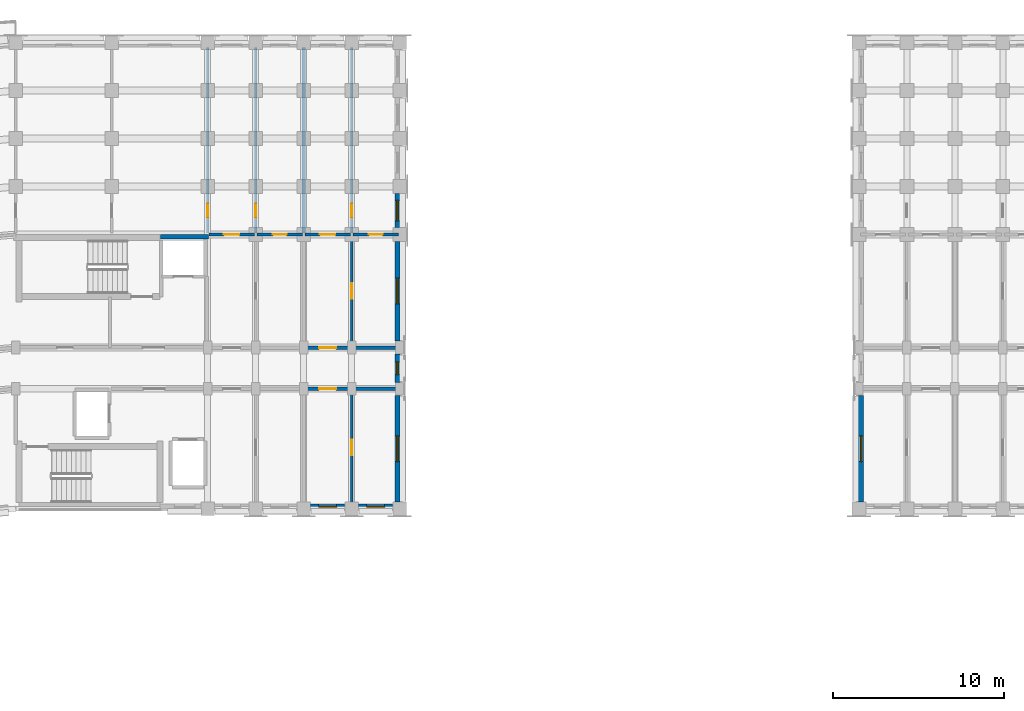
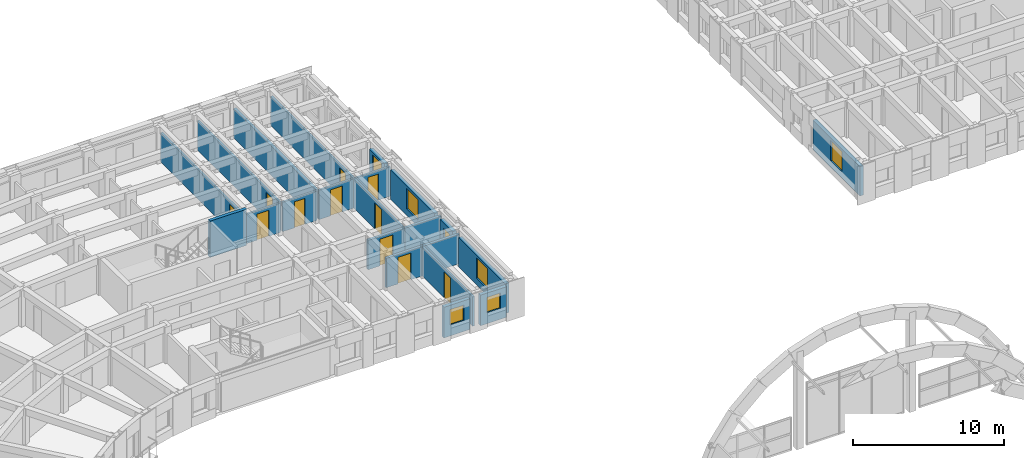
# One storey, part 47 of 76: 22 walls, 11 doors, 7 windows, 18 openings.
"""IFC4 building model written with IfcOpenShell, lengths in metres."""

from ifc_helpers import new_model, si_unit, direction, frame, frame_2d, origin, place, context, subcontext, project, spatial, rectangle, extrude, material, layer, layer_set, type_object, element, fill, save


model = new_model("IFC4")

# Units and contexts
model_context = context("Model", 3, precision=1e-05, world=origin(), true_north=direction((0.0, 1.0)))
body_context = subcontext(model_context, "Body", "Model", "MODEL_VIEW")
ifc_project = project(units=[si_unit("LENGTHUNIT", "METRE"), si_unit("AREAUNIT", "SQUARE_METRE"), si_unit("VOLUMEUNIT", "CUBIC_METRE"), si_unit("PLANEANGLEUNIT", "RADIAN"), si_unit("MASSUNIT", "GRAM", prefix="KILO")], contexts=[model_context])

# Site, building, storey
site_placement = place(None, origin())
site = spatial("IfcSite", under=ifc_project, at=site_placement, CompositionType="ELEMENT")
building_placement = place(site_placement, origin())
building = spatial("IfcBuilding", under=site, at=building_placement, Name="Kiranvali Square Residences", CompositionType="ELEMENT")
storey_placement = place(building_placement, frame((0.0, 0.0, 8.699951171875)))
storey = spatial("IfcBuildingStorey", under=building, at=storey_placement, Name="L02", CompositionType="ELEMENT", Elevation=8.699951171875)

# Wall, opening, door
ifc_material_1 = material(Name="Autoclaved aerated concrete blockwork masonry", Category="masonry")
ifc_layer_1 = layer(ifc_material_1, 0.199951171875)
ifc_layer_set_1 = layer_set([ifc_layer_1], Name="Autoclaved aerated concrete blockwork masonry")
wall_type_1 = type_object("IfcWallType", Name="WL-COR-200", PredefinedType="STANDARD", material=ifc_layer_set_1)
wall_1_placement = place(storey_placement, frame((65.0, 113.60009765625, 0.0), z_axis=(0.0, 0.0, 1.0), x_axis=(1.0, 0.0, 0.0)))
wall_1 = element("IfcWall", 1, at=wall_1_placement, inside=storey, type_object=wall_type_1, Name="L02 architectural wall WL-L02-A-A1CI-2", PredefinedType="STANDARD", context=body_context, shape_type="SweptSolid", body=[
    extrude(rectangle(XDim=2.800048828125, YDim=0.199951171875, at=frame_2d((1.39990234375, 0.0))), origin(), (0.0, 0.0, 1.0), 2.3720703125),
])
opening_1_placement = place(wall_1_placement, frame((0.89990234375, 0.0, 0.0)))
opening_1 = element("IfcOpeningElement", 2, at=opening_1_placement, cuts=wall_1, Name="Opening FD-APT-60", PredefinedType="OPENING", context=body_context, shape_type="SweptSolid", body=[
    extrude(rectangle(XDim=1.0, YDim=2.14990234375, at=frame_2d((0.5, 1.074951171875))), frame((0.0, 0.10986328125, 0.0), z_axis=(0.0, -1.0, 0.0), x_axis=(1.0, 0.0, 0.0)), (0.0, 0.0, 1.0), 0.219970703125),
])
ifc_material_2 = material(Name="Fire-rated acoustic hardwood and mineral-core door assembly", Category="wood")
door_type_1 = type_object("IfcDoorType", Name="DR-APT-1000", OperationType="NOTDEFINED", PredefinedType="DOOR", material=ifc_material_2)
door_1_placement = place(opening_1_placement, frame((1.0, 0.0, 0.0), z_axis=(0.0, 0.0, 1.0), x_axis=(-1.0, 0.0, 0.0)))
door_1 = element("IfcDoor", 3, at=door_1_placement, inside=storey, type_object=door_type_1, Name="L02 door DR-L02-0170 (DR-APT-1000)", OperationType="SINGLE_SWING_RIGHT", OverallHeight=2.14990234375, OverallWidth=1.0, PredefinedType="DOOR", context=body_context, shape_type="SweptSolid", body=[
    extrude(rectangle(XDim=1.0, YDim=2.14990234375, at=frame_2d((0.5, 1.074951171875))), frame((0.0, 0.02490234375, 0.0), z_axis=(0.0, -1.0, 0.0), x_axis=(1.0, 0.0, 0.0)), (0.0, 0.0, 1.0), 0.050048828125),
])
fill(opening_1, door_1)

wall_2_placement = place(storey_placement, frame((65.0, 116.0, 0.0), z_axis=(0.0, 0.0, 1.0), x_axis=(1.0, 0.0, 0.0)))
wall_2 = element("IfcWall", 4, at=wall_2_placement, inside=storey, type_object=wall_type_1, Name="L02 architectural wall WL-L02-A-A1CO-2", PredefinedType="STANDARD", context=body_context, shape_type="SweptSolid", body=[
    extrude(rectangle(XDim=2.800048828125, YDim=0.199951171875, at=frame_2d((1.39990234375, 0.0))), origin(), (0.0, 0.0, 1.0), 2.3720703125),
])
opening_2_placement = place(wall_2_placement, frame((0.89990234375, 0.0, 0.0)))
opening_2 = element("IfcOpeningElement", 5, at=opening_2_placement, cuts=wall_2, Name="Opening FD-APT-60", PredefinedType="OPENING", context=body_context, shape_type="SweptSolid", body=[
    extrude(rectangle(XDim=1.0, YDim=2.14990234375, at=frame_2d((0.5, 1.074951171875))), frame((0.0, 0.10986328125, 0.0), z_axis=(0.0, -1.0, 0.0), x_axis=(1.0, 0.0, 0.0)), (0.0, 0.0, 1.0), 0.219970703125),
])
door_2_placement = place(opening_2_placement, frame((1.0, 0.0, 0.0), z_axis=(0.0, 0.0, 1.0), x_axis=(-1.0, 0.0, 0.0)))
door_2 = element("IfcDoor", 6, at=door_2_placement, inside=storey, type_object=door_type_1, Name="L02 door DR-L02-0172 (DR-APT-1000)", OperationType="SINGLE_SWING_RIGHT", OverallHeight=2.14990234375, OverallWidth=1.0, PredefinedType="DOOR", context=body_context, shape_type="SweptSolid", body=[
    extrude(rectangle(XDim=1.0, YDim=2.14990234375, at=frame_2d((0.5, 1.074951171875))), frame((0.0, 0.02490234375, 0.0), z_axis=(0.0, -1.0, 0.0), x_axis=(1.0, 0.0, 0.0)), (0.0, 0.0, 1.0), 0.050048828125),
])
fill(opening_2, door_2)

# Walls
for number, where, z_axis, x_axis, name in (
    (7, (67.800048828125, 113.60009765625, 0.0), (0.0, 0.0, 1.0), (1.0, 0.0, 0.0), "L02 architectural wall WL-L02-A-A1CI-3"),
    (8, (67.800048828125, 116.0, 0.0), (0.0, 0.0, 1.0), (1.0, 0.0, 0.0), "L02 architectural wall WL-L02-A-A1CO-3"),
):
    element("IfcWall", number, at=place(storey_placement, frame(where, z_axis=z_axis, x_axis=x_axis)), inside=storey, type_object=wall_type_1, Name=name, PredefinedType="STANDARD", context=body_context, shape_type="SweptSolid", body=[
        extrude(rectangle(XDim=2.800048828125, YDim=0.199951171875, at=frame_2d((1.39990234375, 0.0))), origin(), (0.0, 0.0, 1.0), 2.3720703125),
    ])
ifc_layer_2 = layer(ifc_material_1, 0.219970703125)
ifc_layer_set_2 = layer_set([ifc_layer_2], Name="Autoclaved aerated concrete blockwork masonry")
wall_type_2 = type_object("IfcWallType", Name="WL-DEM-220", PredefinedType="STANDARD", material=ifc_layer_set_2)
wall_3_placement = place(storey_placement, frame((65.0, 122.699951171875, 0.0), z_axis=(0.0, 0.0, 1.0), x_axis=(0.0, 1.0, 0.0)))
element("IfcWall", 9, at=wall_3_placement, inside=storey, type_object=wall_type_2, Name="L02 architectural wall WL-L02-A-A1TO2-2", PredefinedType="STANDARD", context=body_context, shape_type="SweptSolid", body=[
    extrude(rectangle(XDim=10.820068359375, YDim=0.219970703125, at=frame_2d((5.41015625, 0.0))), origin(), (0.0, 0.0, 1.0), 2.3720703125),
])

# Wall, opening, window
ifc_material_3 = material(Name="Breathable lime-rendered clay brick masonry", Category="masonry")
ifc_layer_3 = layer(ifc_material_3, 0.27490234375)
ifc_layer_set_3 = layer_set([ifc_layer_3], Name="Breathable lime-rendered clay brick masonry")
wall_type_3 = type_object("IfcWallType", Name="WL-EXT-275", PredefinedType="STANDARD", material=ifc_layer_set_3)
wall_4_placement = place(storey_placement, frame((65.403564453125, 106.72509765625, 0.0), z_axis=(0.0, 0.0, 1.0), x_axis=(1.0, 0.0, 0.0)))
wall_4 = element("IfcWall", 10, at=wall_4_placement, inside=storey, type_object=wall_type_3, Name="L02 exterior wall A-L02-A1I-2", PredefinedType="STANDARD", context=body_context, shape_type="SweptSolid", body=[
    extrude(rectangle(XDim=1.992919921875, YDim=0.27490234375, at=frame_2d((0.99658203125, 0.0))), origin(), (0.0, 0.0, 1.0), 2.47216796875),
])
opening_3_placement = place(wall_4_placement, frame((0.471435546875, 0.0, 0.8798828125)))
opening_3 = element("IfcOpeningElement", 11, at=opening_3_placement, cuts=wall_4, Name="Opening W-24", PredefinedType="OPENING", context=body_context, shape_type="SweptSolid", body=[
    extrude(rectangle(XDim=1.050048828125, YDim=1.25, at=frame_2d((0.52490234375, 0.625))), frame((0.0, 0.1474609375, 0.0), z_axis=(0.0, -1.0, 0.0), x_axis=(1.0, 0.0, 0.0)), (0.0, 0.0, 1.0), 0.294921875),
])
ifc_material_4 = material(Name="Solar-control low-e double glazing", Category="glass")
window_type_1 = type_object("IfcWindowType", Name="WIN-COR-1050x1250", PartitioningType="SINGLE_PANEL", PredefinedType="WINDOW", material=ifc_material_4)
window_1_placement = place(opening_3_placement, origin())
window_1 = element("IfcWindow", 12, at=window_1_placement, inside=storey, type_object=window_type_1, Name="L02 recessed window A-L02-A1I-2", OverallHeight=1.25, OverallWidth=1.050048828125, PartitioningType="SINGLE_PANEL", PredefinedType="WINDOW", context=body_context, shape_type="SweptSolid", body=[
    extrude(rectangle(XDim=1.050048828125, YDim=1.25, at=frame_2d((0.52490234375, 0.625))), frame((0.0, 0.030029296875, 0.0), z_axis=(0.0, -1.0, 0.0), x_axis=(1.0, 0.0, 0.0)), (0.0, 0.0, 1.0), 0.06005859375),
])
fill(opening_3, window_1)

wall_5_placement = place(storey_placement, frame((68.20361328125, 106.72509765625, 0.0), z_axis=(0.0, 0.0, 1.0), x_axis=(1.0, 0.0, 0.0)))
wall_5 = element("IfcWall", 13, at=wall_5_placement, inside=storey, type_object=wall_type_3, Name="L02 exterior wall A-L02-A1I-3", PredefinedType="STANDARD", context=body_context, shape_type="SweptSolid", body=[
    extrude(rectangle(XDim=1.992919921875, YDim=0.27490234375, at=frame_2d((0.99658203125, 0.0))), origin(), (0.0, 0.0, 1.0), 2.47216796875),
])
opening_4_placement = place(wall_5_placement, frame((0.471435546875, 0.0, 0.8798828125)))
opening_4 = element("IfcOpeningElement", 14, at=opening_4_placement, cuts=wall_5, Name="Opening W-24", PredefinedType="OPENING", context=body_context, shape_type="SweptSolid", body=[
    extrude(rectangle(XDim=1.050048828125, YDim=1.25, at=frame_2d((0.52490234375, 0.625))), frame((0.0, 0.1474609375, 0.0), z_axis=(0.0, -1.0, 0.0), x_axis=(1.0, 0.0, 0.0)), (0.0, 0.0, 1.0), 0.294921875),
])
window_2_placement = place(opening_4_placement, origin())
window_2 = element("IfcWindow", 15, at=window_2_placement, inside=storey, type_object=window_type_1, Name="L02 recessed window A-L02-A1I-3", OverallHeight=1.25, OverallWidth=1.050048828125, PartitioningType="SINGLE_PANEL", PredefinedType="WINDOW", context=body_context, shape_type="SweptSolid", body=[
    extrude(rectangle(XDim=1.050048828125, YDim=1.25, at=frame_2d((0.52490234375, 0.625))), frame((0.0, 0.030029296875, 0.0), z_axis=(0.0, -1.0, 0.0), x_axis=(1.0, 0.0, 0.0)), (0.0, 0.0, 1.0), 0.06005859375),
])
fill(opening_4, window_2)

wall_6_placement = place(storey_placement, frame((70.47509765625, 107.00341796875, 0.0), z_axis=(0.0, 0.0, 1.0), x_axis=(0.0, 1.0, 0.0)))
wall_6 = element("IfcWall", 16, at=wall_6_placement, inside=storey, type_object=wall_type_3, Name="L02 exterior wall A-L02-A1END-0", PredefinedType="STANDARD", context=body_context, shape_type="SweptSolid", body=[
    extrude(rectangle(XDim=6.218017578125, YDim=0.27490234375, at=frame_2d((3.10888671875, 0.0))), origin(), (0.0, 0.0, 1.0), 2.3720703125),
])
opening_5_placement = place(wall_6_placement, frame((2.346435546875, 0.0, 0.52197265625)))
opening_5 = element("IfcOpeningElement", 17, at=opening_5_placement, cuts=wall_6, Name="Opening W-05", PredefinedType="OPENING", context=body_context, shape_type="SweptSolid", body=[
    extrude(rectangle(XDim=1.5, YDim=1.64990234375, at=frame_2d((0.75, 0.824951171875))), frame((0.0, 0.1474609375, 0.0), z_axis=(0.0, -1.0, 0.0), x_axis=(1.0, 0.0, 0.0)), (0.0, 0.0, 1.0), 0.294921875),
])
window_type_2 = type_object("IfcWindowType", Name="WIN-RES-1500x1650", PartitioningType="DOUBLE_PANEL_VERTICAL", PredefinedType="WINDOW", material=ifc_material_4)
window_3_placement = place(opening_5_placement, origin())
window_3 = element("IfcWindow", 18, at=window_3_placement, inside=storey, type_object=window_type_2, Name="L02 recessed window A-L02-A1END-0", OverallHeight=1.64990234375, OverallWidth=1.5, PartitioningType="DOUBLE_PANEL_VERTICAL", PredefinedType="WINDOW", context=body_context, shape_type="SweptSolid", body=[
    extrude(rectangle(XDim=1.5, YDim=1.64990234375, at=frame_2d((0.75, 0.824951171875))), frame((0.0, 0.030029296875, 0.0), z_axis=(0.0, -1.0, 0.0), x_axis=(1.0, 0.0, 0.0)), (0.0, 0.0, 1.0), 0.06005859375),
])
fill(opening_5, window_3)

wall_7_placement = place(storey_placement, frame((70.47509765625, 113.978515625, 0.0), z_axis=(0.0, 0.0, 1.0), x_axis=(0.0, 1.0, 0.0)))
wall_7 = element("IfcWall", 19, at=wall_7_placement, inside=storey, type_object=wall_type_3, Name="L02 exterior wall A-L02-A1END-1", PredefinedType="STANDARD", context=body_context, shape_type="SweptSolid", body=[
    extrude(rectangle(XDim=1.64306640625, YDim=0.27490234375, at=frame_2d((0.821533203125, 0.0))), origin(), (0.0, 0.0, 1.0), 2.3720703125),
])
opening_6_placement = place(wall_7_placement, frame((0.446533203125, 0.0, 0.8798828125)))
opening_6 = element("IfcOpeningElement", 20, at=opening_6_placement, cuts=wall_7, Name="Opening W-07", PredefinedType="OPENING", context=body_context, shape_type="SweptSolid", body=[
    extrude(rectangle(XDim=0.75, YDim=1.050048828125, at=frame_2d((0.375, 0.52490234375))), frame((0.0, 0.1474609375, 0.0), z_axis=(0.0, -1.0, 0.0), x_axis=(1.0, 0.0, 0.0)), (0.0, 0.0, 1.0), 0.294921875),
])
window_type_3 = type_object("IfcWindowType", Name="WIN-WET-750x1050", PartitioningType="SINGLE_PANEL", PredefinedType="WINDOW", material=ifc_material_4)
window_4_placement = place(opening_6_placement, origin())
window_4 = element("IfcWindow", 21, at=window_4_placement, inside=storey, type_object=window_type_3, Name="L02 recessed window A-L02-A1END-1", OverallHeight=1.050048828125, OverallWidth=0.75, PartitioningType="SINGLE_PANEL", PredefinedType="WINDOW", context=body_context, shape_type="SweptSolid", body=[
    extrude(rectangle(XDim=0.75, YDim=1.050048828125, at=frame_2d((0.375, 0.52490234375))), frame((0.0, 0.030029296875, 0.0), z_axis=(0.0, -1.0, 0.0), x_axis=(1.0, 0.0, 0.0)), (0.0, 0.0, 1.0), 0.06005859375),
])
fill(opening_6, window_4)

wall_8_placement = place(storey_placement, frame((70.47509765625, 116.37841796875, 0.0), z_axis=(0.0, 0.0, 1.0), x_axis=(0.0, 1.0, 0.0)))
wall_8 = element("IfcWall", 22, at=wall_8_placement, inside=storey, type_object=wall_type_3, Name="L02 exterior wall A-L02-A1END-2", PredefinedType="STANDARD", context=body_context, shape_type="SweptSolid", body=[
    extrude(rectangle(XDim=5.818115234375, YDim=0.27490234375, at=frame_2d((2.9091796875, 0.0))), origin(), (0.0, 0.0, 1.0), 2.3720703125),
])
opening_7_placement = place(wall_8_placement, frame((2.17138671875, 0.0, 0.52197265625)))
opening_7 = element("IfcOpeningElement", 23, at=opening_7_placement, cuts=wall_8, Name="Opening W-05", PredefinedType="OPENING", context=body_context, shape_type="SweptSolid", body=[
    extrude(rectangle(XDim=1.5, YDim=1.64990234375, at=frame_2d((0.75, 0.824951171875))), frame((0.0, 0.1474609375, 0.0), z_axis=(0.0, -1.0, 0.0), x_axis=(1.0, 0.0, 0.0)), (0.0, 0.0, 1.0), 0.294921875),
])
window_5_placement = place(opening_7_placement, origin())
window_5 = element("IfcWindow", 24, at=window_5_placement, inside=storey, type_object=window_type_2, Name="L02 recessed window A-L02-A1END-2", OverallHeight=1.64990234375, OverallWidth=1.5, PartitioningType="DOUBLE_PANEL_VERTICAL", PredefinedType="WINDOW", context=body_context, shape_type="SweptSolid", body=[
    extrude(rectangle(XDim=1.5, YDim=1.64990234375, at=frame_2d((0.75, 0.824951171875))), frame((0.0, 0.030029296875, 0.0), z_axis=(0.0, -1.0, 0.0), x_axis=(1.0, 0.0, 0.0)), (0.0, 0.0, 1.0), 0.06005859375),
])
fill(opening_7, window_5)

wall_9_placement = place(storey_placement, frame((70.47509765625, 123.00341796875, 0.0), z_axis=(0.0, 0.0, 1.0), x_axis=(0.0, 1.0, 0.0)))
wall_9 = element("IfcWall", 25, at=wall_9_placement, inside=storey, type_object=wall_type_3, Name="L02 exterior wall A-L02-A1END-3", PredefinedType="STANDARD", context=body_context, shape_type="SweptSolid", body=[
    extrude(rectangle(XDim=1.9931640625, YDim=0.27490234375, at=frame_2d((0.99658203125, 0.0))), origin(), (0.0, 0.0, 1.0), 2.3720703125),
])
opening_8_placement = place(wall_9_placement, frame((0.396484375, 0.0, 0.672119140625)))
opening_8 = element("IfcOpeningElement", 26, at=opening_8_placement, cuts=wall_9, Name="Opening W-06", PredefinedType="OPENING", context=body_context, shape_type="SweptSolid", body=[
    extrude(rectangle(XDim=1.199951171875, YDim=1.5, at=frame_2d((0.60009765625, 0.75))), frame((0.0, 0.1474609375, 0.0), z_axis=(0.0, -1.0, 0.0), x_axis=(1.0, 0.0, 0.0)), (0.0, 0.0, 1.0), 0.294921875),
])
window_type_4 = type_object("IfcWindowType", Name="WIN-RES-1200x1500", PartitioningType="SINGLE_PANEL", PredefinedType="WINDOW", material=ifc_material_4)
window_6_placement = place(opening_8_placement, origin())
window_6 = element("IfcWindow", 27, at=window_6_placement, inside=storey, type_object=window_type_4, Name="L02 recessed window A-L02-A1END-3", OverallHeight=1.5, OverallWidth=1.199951171875, PartitioningType="SINGLE_PANEL", PredefinedType="WINDOW", context=body_context, shape_type="SweptSolid", body=[
    extrude(rectangle(XDim=1.199951171875, YDim=1.5, at=frame_2d((0.60009765625, 0.75))), frame((0.0, 0.030029296875, 0.0), z_axis=(0.0, -1.0, 0.0), x_axis=(1.0, 0.0, 0.0)), (0.0, 0.0, 1.0), 0.06005859375),
])
fill(opening_8, window_6)

wall_10_placement = place(storey_placement, frame((97.52490234375, 107.00341796875, 0.0), z_axis=(0.0, 0.0, 1.0), x_axis=(0.0, 1.0, 0.0)))
wall_10 = element("IfcWall", 28, at=wall_10_placement, inside=storey, type_object=wall_type_3, Name="L02 exterior wall B-L02-A1END-0", PredefinedType="STANDARD", context=body_context, shape_type="SweptSolid", body=[
    extrude(rectangle(XDim=6.218017578125, YDim=0.27490234375, at=frame_2d((3.10888671875, 0.0))), origin(), (0.0, 0.0, 1.0), 2.3720703125),
])
opening_9_placement = place(wall_10_placement, frame((2.346435546875, 0.0, 0.52197265625)))
opening_9 = element("IfcOpeningElement", 29, at=opening_9_placement, cuts=wall_10, Name="Opening W-05", PredefinedType="OPENING", context=body_context, shape_type="SweptSolid", body=[
    extrude(rectangle(XDim=1.5, YDim=1.64990234375, at=frame_2d((0.75, 0.824951171875))), frame((0.0, 0.1474609375, 0.0), z_axis=(0.0, -1.0, 0.0), x_axis=(1.0, 0.0, 0.0)), (0.0, 0.0, 1.0), 0.294921875),
])
window_7_placement = place(opening_9_placement, origin())
window_7 = element("IfcWindow", 30, at=window_7_placement, inside=storey, type_object=window_type_2, Name="L02 recessed window B-L02-A1END-0", OverallHeight=1.64990234375, OverallWidth=1.5, PartitioningType="DOUBLE_PANEL_VERTICAL", PredefinedType="WINDOW", context=body_context, shape_type="SweptSolid", body=[
    extrude(rectangle(XDim=1.5, YDim=1.64990234375, at=frame_2d((0.75, 0.824951171875))), frame((0.0, 0.030029296875, 0.0), z_axis=(0.0, -1.0, 0.0), x_axis=(1.0, 0.0, 0.0)), (0.0, 0.0, 1.0), 0.06005859375),
])
fill(opening_9, window_7)

# Wall, opening, door
ifc_material_5 = material(Name="Acoustic gypsum board drylined partition", Category="gypsum")
ifc_layer_4 = layer(ifc_material_5, 0.14990234375)
ifc_layer_set_4 = layer_set([ifc_layer_4], Name="Acoustic gypsum board drylined partition")
wall_type_4 = type_object("IfcWallType", Name="WL-PRT-150", PredefinedType="PARTITIONING", material=ifc_layer_set_4)
wall_11_placement = place(storey_placement, frame((59.39990234375, 122.699951171875, 0.0), z_axis=(0.0, 0.0, 1.0), x_axis=(0.0, 1.0, 0.0)))
wall_11 = element("IfcWall", 31, at=wall_11_placement, inside=storey, type_object=wall_type_4, Name="L02 architectural wall WL-L02-A-A1TO2-0", PredefinedType="PARTITIONING", context=body_context, shape_type="SweptSolid", body=[
    extrude(rectangle(XDim=10.820068359375, YDim=0.14990234375, at=frame_2d((5.41015625, 0.0))), origin(), (0.0, 0.0, 1.0), 2.3720703125),
])
opening_10_placement = place(wall_11_placement, frame((0.8994140625, 0.0, 0.0)))
opening_10 = element("IfcOpeningElement", 32, at=opening_10_placement, cuts=wall_11, Name="Opening ID-WET", PredefinedType="OPENING", context=body_context, shape_type="SweptSolid", body=[
    extrude(rectangle(XDim=0.800048828125, YDim=2.10009765625, at=frame_2d((0.39990234375, 1.050048828125))), frame((0.0, 0.0849609375, 0.0), z_axis=(0.0, -1.0, 0.0), x_axis=(1.0, 0.0, 0.0)), (0.0, 0.0, 1.0), 0.169921875),
])
ifc_material_6 = material(Name="Solid seasoned teak hardwood joinery", Category="wood")
door_type_2 = type_object("IfcDoorType", Name="DR-WET-800", OperationType="NOTDEFINED", PredefinedType="DOOR", material=ifc_material_6)
door_3_placement = place(opening_10_placement, frame((0.800048828125, 0.0, 0.0), z_axis=(0.0, 0.0, 1.0), x_axis=(-1.0, 0.0, 0.0)))
door_3 = element("IfcDoor", 33, at=door_3_placement, inside=storey, type_object=door_type_2, Name="L02 door DR-L02-0174 (DR-WET-800)", OperationType="SINGLE_SWING_RIGHT", OverallHeight=2.10009765625, OverallWidth=0.800048828125, PredefinedType="DOOR", context=body_context, shape_type="SweptSolid", body=[
    extrude(rectangle(XDim=0.800048828125, YDim=2.10009765625, at=frame_2d((0.39990234375, 1.050048828125))), frame((0.0, 0.02490234375, 0.0), z_axis=(0.0, -1.0, 0.0), x_axis=(1.0, 0.0, 0.0)), (0.0, 0.0, 1.0), 0.050048828125),
])
fill(opening_10, door_3)

wall_12_placement = place(storey_placement, frame((62.199951171875, 122.699951171875, 0.0), z_axis=(0.0, 0.0, 1.0), x_axis=(0.0, 1.0, 0.0)))
wall_12 = element("IfcWall", 34, at=wall_12_placement, inside=storey, type_object=wall_type_4, Name="L02 architectural wall WL-L02-A-A1TO2-1", PredefinedType="PARTITIONING", context=body_context, shape_type="SweptSolid", body=[
    extrude(rectangle(XDim=10.820068359375, YDim=0.14990234375, at=frame_2d((5.41015625, 0.0))), origin(), (0.0, 0.0, 1.0), 2.3720703125),
])
opening_11_placement = place(wall_12_placement, frame((0.8994140625, 0.0, 0.0)))
opening_11 = element("IfcOpeningElement", 35, at=opening_11_placement, cuts=wall_12, Name="Opening ID-WET", PredefinedType="OPENING", context=body_context, shape_type="SweptSolid", body=[
    extrude(rectangle(XDim=0.800048828125, YDim=2.10009765625, at=frame_2d((0.39990234375, 1.050048828125))), frame((0.0, 0.0849609375, 0.0), z_axis=(0.0, -1.0, 0.0), x_axis=(1.0, 0.0, 0.0)), (0.0, 0.0, 1.0), 0.169921875),
])
door_4_placement = place(opening_11_placement, origin())
door_4 = element("IfcDoor", 36, at=door_4_placement, inside=storey, type_object=door_type_2, Name="L02 door DR-L02-0177 (DR-WET-800)", OperationType="SINGLE_SWING_LEFT", OverallHeight=2.10009765625, OverallWidth=0.800048828125, PredefinedType="DOOR", context=body_context, shape_type="SweptSolid", body=[
    extrude(rectangle(XDim=0.800048828125, YDim=2.10009765625, at=frame_2d((0.39990234375, 1.050048828125))), frame((0.0, 0.02490234375, 0.0), z_axis=(0.0, -1.0, 0.0), x_axis=(1.0, 0.0, 0.0)), (0.0, 0.0, 1.0), 0.050048828125),
])
fill(opening_11, door_4)

wall_13_placement = place(storey_placement, frame((67.800048828125, 106.800048828125, 0.0), z_axis=(0.0, 0.0, 1.0), x_axis=(0.0, 1.0, 0.0)))
wall_13 = element("IfcWall", 37, at=wall_13_placement, inside=storey, type_object=wall_type_4, Name="L02 architectural wall WL-L02-A-A1TI-3", PredefinedType="PARTITIONING", context=body_context, shape_type="SweptSolid", body=[
    extrude(rectangle(XDim=6.75, YDim=0.14990234375, at=frame_2d((3.375, 0.0))), origin(), (0.0, 0.0, 1.0), 2.3720703125),
])
opening_12_placement = place(wall_13_placement, frame((2.925048828125, 0.0, 0.0)))
opening_12 = element("IfcOpeningElement", 38, at=opening_12_placement, cuts=wall_13, Name="Opening ID-1", PredefinedType="OPENING", context=body_context, shape_type="SweptSolid", body=[
    extrude(rectangle(XDim=0.89990234375, YDim=2.10009765625, at=frame_2d((0.449951171875, 1.050048828125))), frame((0.0, 0.0849609375, 0.0), z_axis=(0.0, -1.0, 0.0), x_axis=(1.0, 0.0, 0.0)), (0.0, 0.0, 1.0), 0.169921875),
])
door_type_3 = type_object("IfcDoorType", Name="DR-INT-900", OperationType="NOTDEFINED", PredefinedType="DOOR", material=ifc_material_6)
door_5_placement = place(opening_12_placement, frame((0.89990234375, 0.0, 0.0), z_axis=(0.0, 0.0, 1.0), x_axis=(-1.0, 0.0, 0.0)))
door_5 = element("IfcDoor", 39, at=door_5_placement, inside=storey, type_object=door_type_3, Name="L02 door DR-L02-0178 (DR-INT-900)", OperationType="SINGLE_SWING_RIGHT", OverallHeight=2.10009765625, OverallWidth=0.89990234375, PredefinedType="DOOR", context=body_context, shape_type="SweptSolid", body=[
    extrude(rectangle(XDim=0.89990234375, YDim=2.10009765625, at=frame_2d((0.449951171875, 1.050048828125))), frame((0.0, 0.02490234375, 0.0), z_axis=(0.0, -1.0, 0.0), x_axis=(1.0, 0.0, 0.0)), (0.0, 0.0, 1.0), 0.050048828125),
])
fill(opening_12, door_5)

wall_14_placement = place(storey_placement, frame((67.800048828125, 116.050048828125, 0.0), z_axis=(0.0, 0.0, 1.0), x_axis=(0.0, 1.0, 0.0)))
wall_14 = element("IfcWall", 40, at=wall_14_placement, inside=storey, type_object=wall_type_4, Name="L02 architectural wall WL-L02-A-A1TO1-3", PredefinedType="PARTITIONING", context=body_context, shape_type="SweptSolid", body=[
    extrude(rectangle(XDim=6.530029296875, YDim=0.14990234375, at=frame_2d((3.26513671875, 0.0))), origin(), (0.0, 0.0, 1.0), 2.3720703125),
])
opening_13_placement = place(wall_14_placement, frame((2.81494140625, 0.0, 0.0)))
opening_13 = element("IfcOpeningElement", 41, at=opening_13_placement, cuts=wall_14, Name="Opening ID-1", PredefinedType="OPENING", context=body_context, shape_type="SweptSolid", body=[
    extrude(rectangle(XDim=0.89990234375, YDim=2.10009765625, at=frame_2d((0.449951171875, 1.050048828125))), frame((0.0, 0.0849609375, 0.0), z_axis=(0.0, -1.0, 0.0), x_axis=(1.0, 0.0, 0.0)), (0.0, 0.0, 1.0), 0.169921875),
])
door_6_placement = place(opening_13_placement, origin())
door_6 = element("IfcDoor", 42, at=door_6_placement, inside=storey, type_object=door_type_3, Name="L02 door DR-L02-0179 (DR-INT-900)", OperationType="SINGLE_SWING_LEFT", OverallHeight=2.10009765625, OverallWidth=0.89990234375, PredefinedType="DOOR", context=body_context, shape_type="SweptSolid", body=[
    extrude(rectangle(XDim=0.89990234375, YDim=2.10009765625, at=frame_2d((0.449951171875, 1.050048828125))), frame((0.0, 0.02490234375, 0.0), z_axis=(0.0, -1.0, 0.0), x_axis=(1.0, 0.0, 0.0)), (0.0, 0.0, 1.0), 0.050048828125),
])
fill(opening_13, door_6)

wall_15_placement = place(storey_placement, frame((67.800048828125, 122.699951171875, 0.0), z_axis=(0.0, 0.0, 1.0), x_axis=(0.0, 1.0, 0.0)))
wall_15 = element("IfcWall", 43, at=wall_15_placement, inside=storey, type_object=wall_type_4, Name="L02 architectural wall WL-L02-A-A1TO2-3", PredefinedType="PARTITIONING", context=body_context, shape_type="SweptSolid", body=[
    extrude(rectangle(XDim=10.820068359375, YDim=0.14990234375, at=frame_2d((5.41015625, 0.0))), origin(), (0.0, 0.0, 1.0), 2.3720703125),
])
opening_14_placement = place(wall_15_placement, frame((0.8994140625, 0.0, 0.0)))
opening_14 = element("IfcOpeningElement", 44, at=opening_14_placement, cuts=wall_15, Name="Opening ID-WET", PredefinedType="OPENING", context=body_context, shape_type="SweptSolid", body=[
    extrude(rectangle(XDim=0.800048828125, YDim=2.10009765625, at=frame_2d((0.39990234375, 1.050048828125))), frame((0.0, 0.0849609375, 0.0), z_axis=(0.0, -1.0, 0.0), x_axis=(1.0, 0.0, 0.0)), (0.0, 0.0, 1.0), 0.169921875),
])
door_7_placement = place(opening_14_placement, frame((0.800048828125, 0.0, 0.0), z_axis=(0.0, 0.0, 1.0), x_axis=(-1.0, 0.0, 0.0)))
door_7 = element("IfcDoor", 45, at=door_7_placement, inside=storey, type_object=door_type_2, Name="L02 door DR-L02-0180 (DR-WET-800)", OperationType="SINGLE_SWING_RIGHT", OverallHeight=2.10009765625, OverallWidth=0.800048828125, PredefinedType="DOOR", context=body_context, shape_type="SweptSolid", body=[
    extrude(rectangle(XDim=0.800048828125, YDim=2.10009765625, at=frame_2d((0.39990234375, 1.050048828125))), frame((0.0, 0.02490234375, 0.0), z_axis=(0.0, -1.0, 0.0), x_axis=(1.0, 0.0, 0.0)), (0.0, 0.0, 1.0), 0.050048828125),
])
fill(opening_14, door_7)

# Wall
ifc_material_7 = material(Name="Concrete M45 (45 MPa)", Category="concrete")
ifc_layer_5 = layer(ifc_material_7, 0.25)
ifc_layer_set_5 = layer_set([ifc_layer_5], Name="Concrete M45 (45 MPa)")
wall_type_5 = type_object("IfcWallType", Name="WL-SHR-250", PredefinedType="SHEAR", material=ifc_layer_set_5)
wall_16_placement = place(storey_placement, frame((56.64990234375, 122.47509765625, 0.0), z_axis=(0.0, 0.0, 1.0), x_axis=(1.0, 0.0, 0.0)))
element("IfcWall", 46, at=wall_16_placement, inside=storey, type_object=wall_type_5, Name="Block A core shear wall SW-AFF-BK-L02", PredefinedType="SHEAR", context=body_context, shape_type="SweptSolid", body=[
    extrude(rectangle(XDim=2.800048828125, YDim=0.25, at=frame_2d((1.39990234375, 0.0))), origin(), (0.0, 0.0, 1.0), 2.929931640625),
])

# Wall, opening, door
ifc_layer_6 = layer(ifc_material_1, 0.14990234375)
ifc_layer_set_6 = layer_set([ifc_layer_6], Name="Autoclaved aerated concrete blockwork masonry")
wall_type_6 = type_object("IfcWallType", Name="WL-WET-150", PredefinedType="PLUMBINGWALL", material=ifc_layer_set_6)
wall_17_placement = place(storey_placement, frame((59.47998046875, 122.60009765625, 0.0), z_axis=(0.0, 0.0, 1.0), x_axis=(1.0, 0.0, 0.0)))
wall_17 = element("IfcWall", 47, at=wall_17_placement, inside=storey, type_object=wall_type_6, Name="L02 architectural wall WL-L02-A-A1SP-0", PredefinedType="PLUMBINGWALL", context=body_context, shape_type="SweptSolid", body=[
    extrude(rectangle(XDim=2.64013671875, YDim=0.14990234375, at=frame_2d((1.320068359375, 0.0))), origin(), (0.0, 0.0, 1.0), 2.3720703125),
])
opening_15_placement = place(wall_17_placement, frame((0.8701171875, 0.0, 0.0)))
opening_15 = element("IfcOpeningElement", 48, at=opening_15_placement, cuts=wall_17, Name="Opening ID-1", PredefinedType="OPENING", context=body_context, shape_type="SweptSolid", body=[
    extrude(rectangle(XDim=0.89990234375, YDim=2.10009765625, at=frame_2d((0.449951171875, 1.050048828125))), frame((0.0, 0.0849609375, 0.0), z_axis=(0.0, -1.0, 0.0), x_axis=(1.0, 0.0, 0.0)), (0.0, 0.0, 1.0), 0.169921875),
])
door_8_placement = place(opening_15_placement, origin())
door_8 = element("IfcDoor", 49, at=door_8_placement, inside=storey, type_object=door_type_3, Name="L02 door DR-L02-0167 (DR-INT-900)", OperationType="SINGLE_SWING_LEFT", OverallHeight=2.10009765625, OverallWidth=0.89990234375, PredefinedType="DOOR", context=body_context, shape_type="SweptSolid", body=[
    extrude(rectangle(XDim=0.89990234375, YDim=2.10009765625, at=frame_2d((0.449951171875, 1.050048828125))), frame((0.0, 0.02490234375, 0.0), z_axis=(0.0, -1.0, 0.0), x_axis=(1.0, 0.0, 0.0)), (0.0, 0.0, 1.0), 0.050048828125),
])
fill(opening_15, door_8)

wall_18_placement = place(storey_placement, frame((62.280029296875, 122.60009765625, 0.0), z_axis=(0.0, 0.0, 1.0), x_axis=(1.0, 0.0, 0.0)))
wall_18 = element("IfcWall", 50, at=wall_18_placement, inside=storey, type_object=wall_type_6, Name="L02 architectural wall WL-L02-A-A1SP-1", PredefinedType="PLUMBINGWALL", context=body_context, shape_type="SweptSolid", body=[
    extrude(rectangle(XDim=2.639892578125, YDim=0.14990234375, at=frame_2d((1.31982421875, 0.0))), origin(), (0.0, 0.0, 1.0), 2.3720703125),
])
opening_16_placement = place(wall_18_placement, frame((0.919921875, 0.0, 0.0)))
opening_16 = element("IfcOpeningElement", 51, at=opening_16_placement, cuts=wall_18, Name="Opening ID-WET", PredefinedType="OPENING", context=body_context, shape_type="SweptSolid", body=[
    extrude(rectangle(XDim=0.800048828125, YDim=2.10009765625, at=frame_2d((0.39990234375, 1.050048828125))), frame((0.0, 0.0849609375, 0.0), z_axis=(0.0, -1.0, 0.0), x_axis=(1.0, 0.0, 0.0)), (0.0, 0.0, 1.0), 0.169921875),
])
door_9_placement = place(opening_16_placement, origin())
door_9 = element("IfcDoor", 52, at=door_9_placement, inside=storey, type_object=door_type_2, Name="L02 door DR-L02-0169 (DR-WET-800)", OperationType="SINGLE_SWING_LEFT", OverallHeight=2.10009765625, OverallWidth=0.800048828125, PredefinedType="DOOR", context=body_context, shape_type="SweptSolid", body=[
    extrude(rectangle(XDim=0.800048828125, YDim=2.10009765625, at=frame_2d((0.39990234375, 1.050048828125))), frame((0.0, 0.02490234375, 0.0), z_axis=(0.0, -1.0, 0.0), x_axis=(1.0, 0.0, 0.0)), (0.0, 0.0, 1.0), 0.050048828125),
])
fill(opening_16, door_9)

wall_19_placement = place(storey_placement, frame((65.080078125, 122.60009765625, 0.0), z_axis=(0.0, 0.0, 1.0), x_axis=(1.0, 0.0, 0.0)))
wall_19 = element("IfcWall", 53, at=wall_19_placement, inside=storey, type_object=wall_type_6, Name="L02 architectural wall WL-L02-A-A1SP-2", PredefinedType="PLUMBINGWALL", context=body_context, shape_type="SweptSolid", body=[
    extrude(rectangle(XDim=2.639892578125, YDim=0.14990234375, at=frame_2d((1.31982421875, 0.0))), origin(), (0.0, 0.0, 1.0), 2.3720703125),
])
opening_17_placement = place(wall_19_placement, frame((0.8701171875, 0.0, 0.0)))
opening_17 = element("IfcOpeningElement", 54, at=opening_17_placement, cuts=wall_19, Name="Opening ID-1", PredefinedType="OPENING", context=body_context, shape_type="SweptSolid", body=[
    extrude(rectangle(XDim=0.89990234375, YDim=2.10009765625, at=frame_2d((0.449951171875, 1.050048828125))), frame((0.0, 0.0849609375, 0.0), z_axis=(0.0, -1.0, 0.0), x_axis=(1.0, 0.0, 0.0)), (0.0, 0.0, 1.0), 0.169921875),
])
door_10_placement = place(opening_17_placement, origin())
door_10 = element("IfcDoor", 55, at=door_10_placement, inside=storey, type_object=door_type_3, Name="L02 door DR-L02-0171 (DR-INT-900)", OperationType="SINGLE_SWING_LEFT", OverallHeight=2.10009765625, OverallWidth=0.89990234375, PredefinedType="DOOR", context=body_context, shape_type="SweptSolid", body=[
    extrude(rectangle(XDim=0.89990234375, YDim=2.10009765625, at=frame_2d((0.449951171875, 1.050048828125))), frame((0.0, 0.02490234375, 0.0), z_axis=(0.0, -1.0, 0.0), x_axis=(1.0, 0.0, 0.0)), (0.0, 0.0, 1.0), 0.050048828125),
])
fill(opening_17, door_10)

wall_20_placement = place(storey_placement, frame((67.8798828125, 122.60009765625, 0.0), z_axis=(0.0, 0.0, 1.0), x_axis=(1.0, 0.0, 0.0)))
wall_20 = element("IfcWall", 56, at=wall_20_placement, inside=storey, type_object=wall_type_6, Name="L02 architectural wall WL-L02-A-A1SP-3", PredefinedType="PLUMBINGWALL", context=body_context, shape_type="SweptSolid", body=[
    extrude(rectangle(XDim=2.64013671875, YDim=0.14990234375, at=frame_2d((1.320068359375, 0.0))), origin(), (0.0, 0.0, 1.0), 2.3720703125),
])
opening_18_placement = place(wall_20_placement, frame((0.919921875, 0.0, 0.0)))
opening_18 = element("IfcOpeningElement", 57, at=opening_18_placement, cuts=wall_20, Name="Opening ID-WET", PredefinedType="OPENING", context=body_context, shape_type="SweptSolid", body=[
    extrude(rectangle(XDim=0.800048828125, YDim=2.10009765625, at=frame_2d((0.39990234375, 1.050048828125))), frame((0.0, 0.0849609375, 0.0), z_axis=(0.0, -1.0, 0.0), x_axis=(1.0, 0.0, 0.0)), (0.0, 0.0, 1.0), 0.169921875),
])
door_11_placement = place(opening_18_placement, origin())
door_11 = element("IfcDoor", 58, at=door_11_placement, inside=storey, type_object=door_type_2, Name="L02 door DR-L02-0173 (DR-WET-800)", OperationType="SINGLE_SWING_LEFT", OverallHeight=2.10009765625, OverallWidth=0.800048828125, PredefinedType="DOOR", context=body_context, shape_type="SweptSolid", body=[
    extrude(rectangle(XDim=0.800048828125, YDim=2.10009765625, at=frame_2d((0.39990234375, 1.050048828125))), frame((0.0, 0.02490234375, 0.0), z_axis=(0.0, -1.0, 0.0), x_axis=(1.0, 0.0, 0.0)), (0.0, 0.0, 1.0), 0.050048828125),
])
fill(opening_18, door_11)

save(model, "model.ifc")
